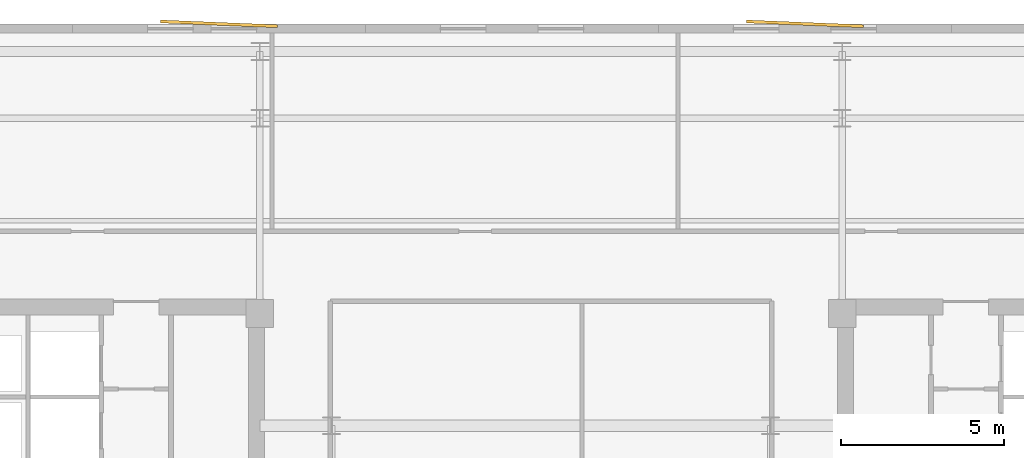
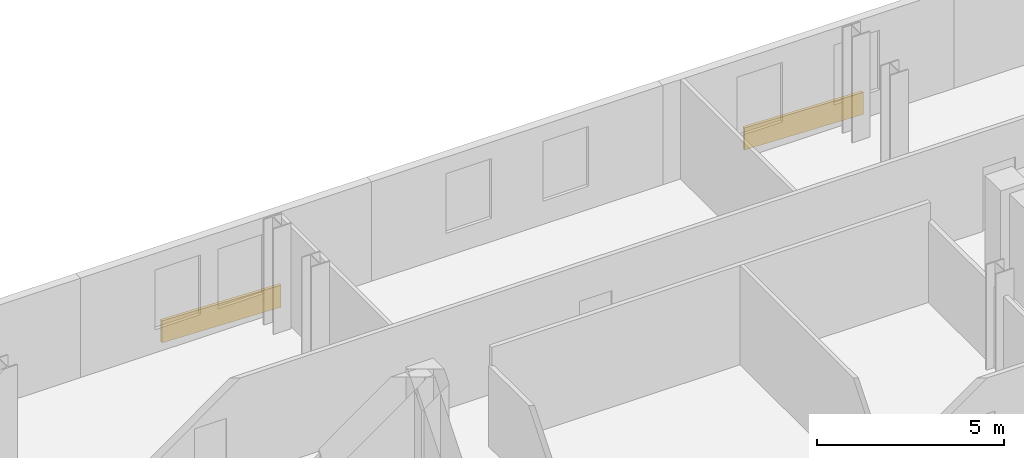
# One storey, part 9 of 9: 2 coverings.
"""IFC4 building model written with IfcOpenShell, lengths in metres."""

from ifc_helpers import new_model, si_unit, direction, frame, origin, origin_2d, place, context, subcontext, project, spatial, rectangle, extrude, material, layer, layer_set, type_object, element, save


model = new_model("IFC4")

# Units and contexts
model_context = context("Model", 3, precision=1e-05, world=origin(), true_north=direction((0.0, 1.0)))
body_context = subcontext(model_context, "Body", "Model", "MODEL_VIEW")
ifc_project = project(units=[si_unit("LENGTHUNIT", "METRE"), si_unit("AREAUNIT", "SQUARE_METRE"), si_unit("VOLUMEUNIT", "CUBIC_METRE"), si_unit("PLANEANGLEUNIT", "RADIAN"), si_unit("MASSUNIT", "GRAM", prefix="KILO")], contexts=[model_context])

# Site, building, storey
site_placement = place(None, origin())
site = spatial("IfcSite", under=ifc_project, at=site_placement, CompositionType="ELEMENT")
building_placement = place(site_placement, origin())
building = spatial("IfcBuilding", under=site, at=building_placement, Name="Velakula Bourse", CompositionType="ELEMENT")
storey_placement = place(building_placement, frame((0.0, 0.0, 225.75)))
storey = spatial("IfcBuildingStorey", under=building, at=storey_placement, Name="L61", CompositionType="ELEMENT", Elevation=225.75)

# Coverings
ifc_material = material(Name="Red kilned clay facing brick masonry", Category="masonry")
ifc_layer = layer(ifc_material, 0.090087890625, Name="Red kilned clay facing brick masonry", Category="masonry")
ifc_layer_set = layer_set([ifc_layer], Name="Red kilned clay facing brick masonry")
covering_type = type_object("IfcCoveringType", Name="COV-BRK-FOLD-90", PredefinedType="CLADDING", material=ifc_layer_set)
for number, where, z_axis, x_axis, name in (
    (1, (-10.199951171875, 17.5, 0.0), (0.0, 0.0, 1.0), (0.999158993058, -0.041003738744, 0.0), "L61 Folded Brick Facade Cladding Panel N-B2"),
    (2, (7.800048828125, 17.5, 0.0), (0.0, 0.0, 1.0), (0.999158993058, -0.041003738744, 0.0), "L61 Folded Brick Facade Cladding Panel N-B4"),
):
    element("IfcCovering", number, at=place(storey_placement, frame(where, z_axis=z_axis, x_axis=x_axis)), inside=storey, type_object=covering_type, Name=name, PredefinedType="CLADDING", context=body_context, shape_type="SweptSolid", body=[
        extrude(rectangle(XDim=3.60009765625, YDim=0.090087890625, at=origin_2d()), origin(), (0.0, 0.0, 1.0), 0.719970703125),
    ])

save(model, "model.ifc")
